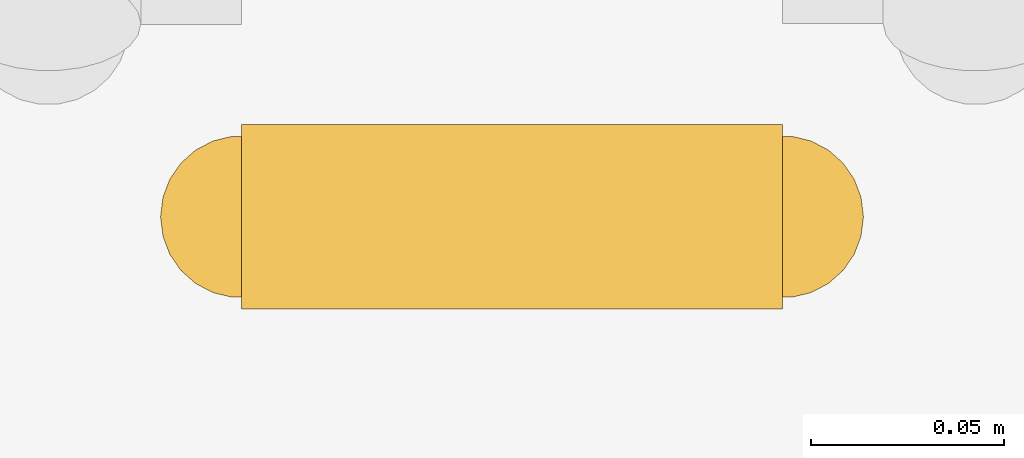
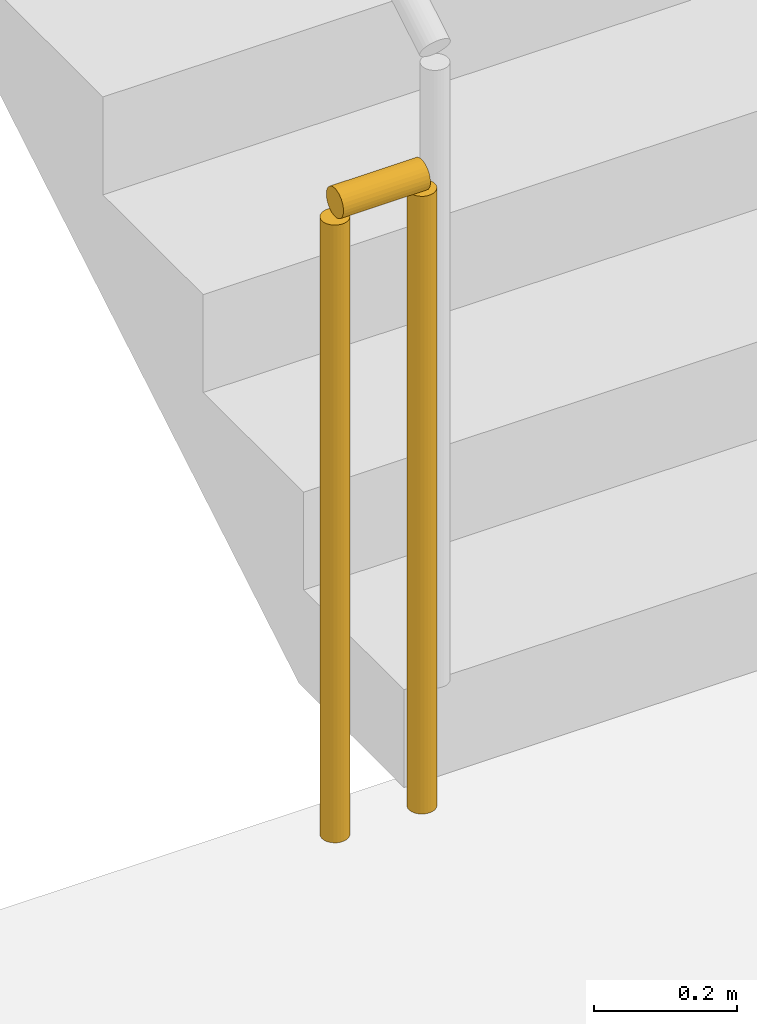
# One storey, part 11 of 14: 1 railing.
"""IFC4 building model written with IfcOpenShell, lengths in metres."""

import ifcopenshell
import ifcopenshell.guid

model = None  # the IFC model being written
_history = None  # IfcOwnerHistory: only IFC2X3 demands one
_inside = {}  # id of a spatial element -> (the spatial element, [elements in it])
_under = {}  # id of a project, library or spatial element -> (it, [spatial elements below it])
_declared = {}  # id of a project -> (the project, [libraries it declares])
_typed = {}  # id of a type object -> (the type object, [elements of that type])
_made_of = {}  # id of a material, layer set ... -> (it, [elements and type objects made of it])


def new_model(schema):
    """Start an empty IFC model of exactly this schema.

    Asked for "IFC4X3", IfcOpenShell would pick the latest addendum, in which some entities
    have other attributes; the version numbers below select the first issue.
    IFC2X3 requires an IfcOwnerHistory on every rooted entity: one is made here for all.
    """
    global model, _history
    if schema == "IFC4X3":
        model = ifcopenshell.file(schema_version=(4, 3, 0, 0))
    else:
        model = ifcopenshell.file(schema=schema)
    _inside.clear()
    _under.clear()
    _declared.clear()
    _typed.clear()
    _made_of.clear()
    _history = None
    if model.schema == "IFC2X3":
        org = make("IfcOrganization", Name="unknown")
        user = make(
            "IfcPersonAndOrganization",
            ThePerson=make("IfcPerson", FamilyName="unknown"),
            TheOrganization=org,
        )
        app = make(
            "IfcApplication",
            ApplicationDeveloper=org,
            Version="unknown",
            ApplicationFullName="unknown",
            ApplicationIdentifier="unknown",
        )
        _history = make(
            "IfcOwnerHistory",
            OwningUser=user,
            OwningApplication=app,
            ChangeAction="ADDED",
            CreationDate=0,
        )
    return model


def make(cls, **values):
    """One entity of the class cls with the attributes given. An attribute that is None is left unset."""
    return model.create_entity(
        cls, **{name: value for name, value in values.items() if value is not None}
    )


def rooted(cls, **values):
    """An entity with a GlobalId (a new one), such as an element, a storey or a relation."""
    return make(cls, GlobalId=ifcopenshell.guid.new(), OwnerHistory=_history, **values)


def si_unit(unit_type, name, prefix=None):
    """IfcSIUnit, for example si_unit("LENGTHUNIT", "METRE", prefix="MILLI")."""
    return make("IfcSIUnit", UnitType=unit_type, Prefix=prefix, Name=name)


def assignment(units):
    """IfcUnitAssignment: the units of a project."""
    return None if units is None else make("IfcUnitAssignment", Units=units)


def point(xyz):
    """IfcCartesianPoint."""
    return None if xyz is None else make("IfcCartesianPoint", Coordinates=xyz)


def direction(xyz):
    """IfcDirection."""
    return None if xyz is None else make("IfcDirection", DirectionRatios=xyz)


def frame(location, z_axis=None, x_axis=None):
    """IfcAxis2Placement3D, a coordinate frame: its origin and axes. An axis left out is left unset."""
    return make(
        "IfcAxis2Placement3D",
        Location=point(location),
        Axis=direction(z_axis),
        RefDirection=direction(x_axis),
    )


def frame_2d(location, x_axis=None):
    """IfcAxis2Placement2D, a coordinate frame in the plane: its origin and x axis."""
    return make(
        "IfcAxis2Placement2D", Location=point(location), RefDirection=direction(x_axis)
    )


def origin():
    """The frame at (0, 0, 0) with its axes left unset."""
    return frame((0.0, 0.0, 0.0))


def origin_2d():
    """The frame at (0, 0) in the plane with its x axis left unset."""
    return frame_2d((0.0, 0.0))


def place(relative_to, where):
    """IfcLocalPlacement: puts the frame where relative to a parent placement (None: the world)."""
    return make(
        "IfcLocalPlacement", PlacementRelTo=relative_to, RelativePlacement=where
    )


def context(
    kind, dimensions, precision=None, world=None, true_north=None, identifier=None
):
    """IfcGeometricRepresentationContext, for example the 3D "Model" context."""
    return make(
        "IfcGeometricRepresentationContext",
        ContextIdentifier=identifier,
        ContextType=kind,
        CoordinateSpaceDimension=dimensions,
        Precision=precision,
        WorldCoordinateSystem=world,
        TrueNorth=true_north,
    )


def subcontext(parent, identifier, kind, view, scale=None):
    """IfcGeometricRepresentationSubContext, for example "Body" below "Model"."""
    return make(
        "IfcGeometricRepresentationSubContext",
        ContextIdentifier=identifier,
        ContextType=kind,
        ParentContext=parent,
        TargetScale=scale,
        TargetView=view,
    )


def project(units=None, contexts=None):
    """IfcProject with its units and contexts."""
    return rooted(
        "IfcProject",
        Name="project",
        RepresentationContexts=contexts,
        UnitsInContext=assignment(units),
    )


def spatial(cls, under=None, at=None, **own):
    """A site, building, storey or space (cls), placed at a placement, below another one or the project."""
    s = rooted(cls, ObjectPlacement=at, **own)
    if under is not None:
        _under.setdefault(under.id(), (under, []))[1].append(s)
    return s


def profile(cls, at=None, kind="AREA", **sizes):
    """A parametric profile (cls). Its sizes go by their IFC names, for example OverallWidth=200.0."""
    return make(cls, ProfileType=kind, Position=at, **sizes)


def circle(**sizes):
    """IfcCircleProfileDef."""
    return profile("IfcCircleProfileDef", **sizes)


def extrude(swept, where, along, depth):
    """IfcExtrudedAreaSolid: the profile swept, set in the frame where, extruded along a direction by depth."""
    return make(
        "IfcExtrudedAreaSolid",
        SweptArea=swept,
        Position=where,
        ExtrudedDirection=direction(along),
        Depth=depth,
    )


def shape(context_of_items, identifier, shape_type, items):
    """IfcShapeRepresentation: the items that make up one representation, for example the "Body"."""
    return make(
        "IfcShapeRepresentation",
        ContextOfItems=context_of_items,
        RepresentationIdentifier=identifier,
        RepresentationType=shape_type,
        Items=items,
    )


def material(Name=None, Category=None):
    """IfcMaterial."""
    return make("IfcMaterial", Name=Name, Category=Category)


def made_of(thing, what):
    """Note that an element or type object is made of a material, layer set ...; save() writes the relation."""
    if what is not None:
        _made_of.setdefault(what.id(), (what, []))[1].append(thing)
    return thing


def type_object(cls, material=None, **own):
    """A type object (cls), such as IfcWallType, which elements share."""
    return made_of(rooted(cls, **own), material)


def element(
    cls,
    number,
    at=None,
    inside=None,
    cuts=None,
    type_object=None,
    material=None,
    context=None,
    identifier="Body",
    shape_type=None,
    held_by="IfcProductDefinitionShape",
    body=None,
    shapes=None,
    **own,
):
    """One element of the class cls, such as IfcWall. Its Tag is "e" and its number.

    at: its placement. inside: the storey or other place that contains it. cuts: it is an
    opening in that element (IfcRelVoidsElement). A single representation is given by context,
    identifier, shape_type and body (its items); several are given by shapes. held_by: the class
    of the entity that holds the representations. save() writes the other relations.
    """
    e = rooted(cls, Tag="e%d" % number, ObjectPlacement=at, **own)
    if body is not None:
        shapes = [shape(context, identifier, shape_type, body)]
    if shapes is not None:
        e.Representation = make(held_by, Representations=shapes)
    if inside is not None:
        _inside.setdefault(inside.id(), (inside, []))[1].append(e)
    if cuts is not None:
        rooted(
            "IfcRelVoidsElement", RelatingBuildingElement=cuts, RelatedOpeningElement=e
        )
    if type_object is not None:
        _typed.setdefault(type_object.id(), (type_object, []))[1].append(e)
    return made_of(e, material)


def aggregate(whole, parts):
    """IfcRelAggregates: a whole, such as a stair, and the parts it consists of."""
    return rooted("IfcRelAggregates", RelatingObject=whole, RelatedObjects=parts)


def save(model, path):
    """Write the relations noted so far, then the file.

    IfcRelAggregates (storeys below a building ...), IfcRelContainedInSpatialStructure (elements
    in a storey), IfcRelDefinesByType, IfcRelAssociatesMaterial and IfcRelDeclares: one each for
    every whole, place, type object, material and project.
    """
    for whole, parts in _under.values():
        aggregate(whole, parts)
    for where, things in _inside.values():
        rooted(
            "IfcRelContainedInSpatialStructure",
            RelatedElements=things,
            RelatingStructure=where,
        )
    for kind, things in _typed.values():
        rooted("IfcRelDefinesByType", RelatedObjects=things, RelatingType=kind)
    for what, things in _made_of.values():
        rooted("IfcRelAssociatesMaterial", RelatedObjects=things, RelatingMaterial=what)
    for by, libraries in _declared.values():
        rooted("IfcRelDeclares", RelatingContext=by, RelatedDefinitions=libraries)
    model.write(path)


model = new_model("IFC4")

# Units and contexts
model_context = context("Model", 3, precision=1e-05, world=origin(), true_north=direction((0.0, 1.0)))
body_context = subcontext(model_context, "Body", "Model", "MODEL_VIEW")
ifc_project = project(units=[si_unit("LENGTHUNIT", "METRE"), si_unit("AREAUNIT", "SQUARE_METRE"), si_unit("VOLUMEUNIT", "CUBIC_METRE"), si_unit("PLANEANGLEUNIT", "RADIAN"), si_unit("MASSUNIT", "GRAM", prefix="KILO")], contexts=[model_context])

# Site, building, storey
site_placement = place(None, origin())
site = spatial("IfcSite", under=ifc_project, at=site_placement, CompositionType="ELEMENT")
building_placement = place(site_placement, origin())
building = spatial("IfcBuilding", under=site, at=building_placement, Name="Kemercrest Conservatory and Botanical Centre", CompositionType="ELEMENT")
storey_placement = place(building_placement, frame((0.0, 0.0, 28.800048828125)))
storey = spatial("IfcBuildingStorey", under=building, at=storey_placement, Name="L07", CompositionType="ELEMENT", Elevation=28.800048828125)

# Railing
ifc_material = material(Name="Painted galvanized steel tubular stair guardrail", Category="steel")
railing_type = type_object("IfcRailingType", Name="GR-STR110", PredefinedType="GUARDRAIL", material=ifc_material)
railing_placement = place(storey_placement, frame((152.820068359375, 106.7900390625, 0.0)))
element("IfcRailing", 1, at=railing_placement, inside=storey, type_object=railing_type, Name="L07 ST-V4A stair guard 4", PredefinedType="GUARDRAIL", context=body_context, shape_type="SweptSolid", body=[
    extrude(circle(Radius=0.02392578125, at=origin_2d()), frame((0.0, 0.0, 1.076171875), z_axis=(-1.0, 0.0, 0.0), x_axis=(0.0, -1.0, 0.0)), (0.0, 0.0, 1.0), 0.14013671875),
    extrude(circle(Radius=0.02099609375, at=origin_2d()), origin(), (0.0, 0.0, 1.0), 1.052001953125),
    extrude(circle(Radius=0.02099609375, at=origin_2d()), frame((-0.14013671875, 0.0, 0.0)), (0.0, 0.0, 1.0), 1.052001953125),
])

save(model, "model.ifc")
